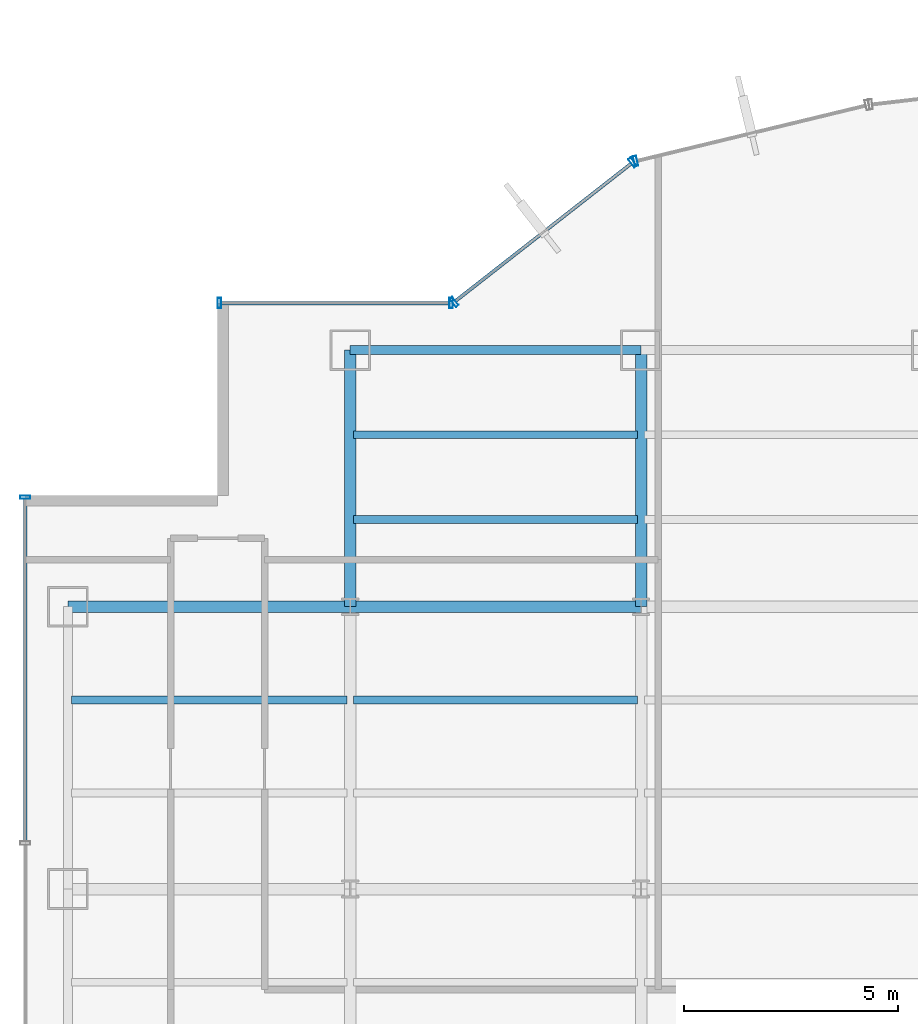
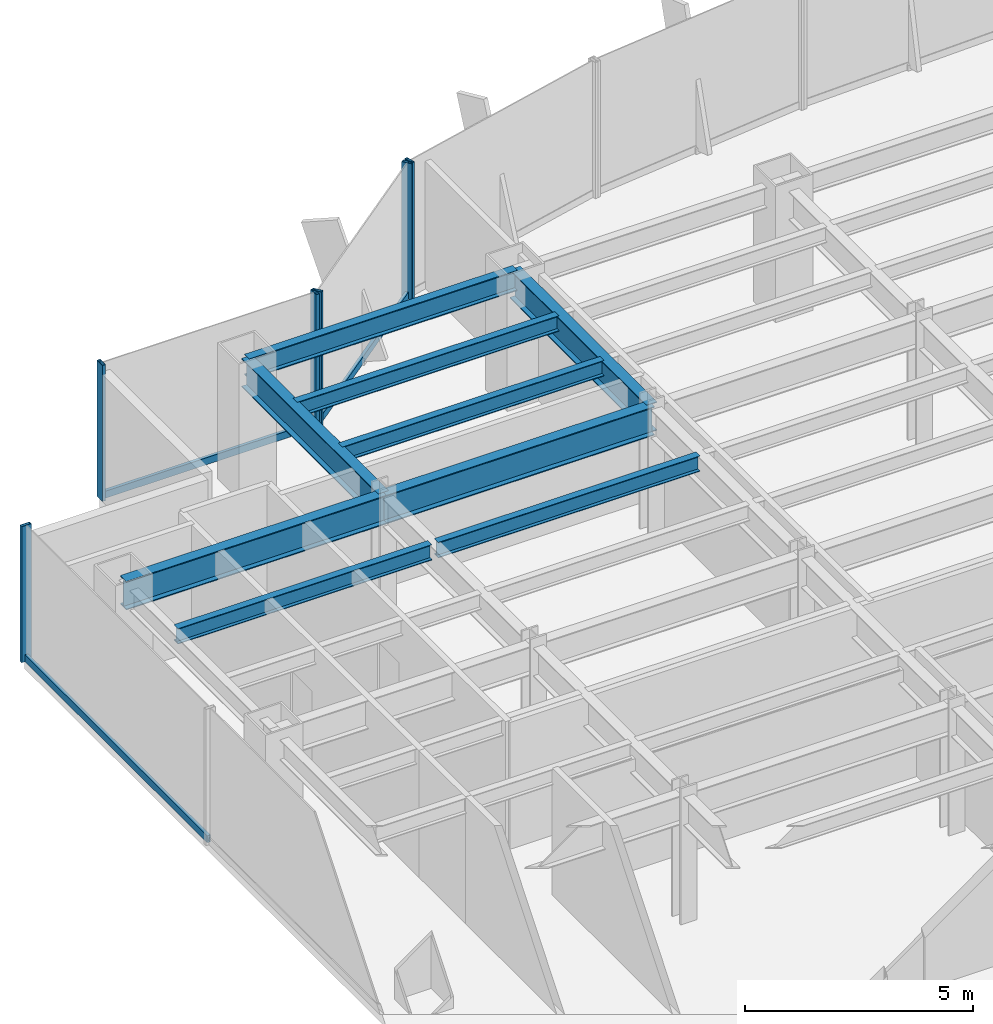
# One storey, part 10 of 22: 9 beams, 9 members, 4 elements without a shape of their own.
"""IFC4 building model written with IfcOpenShell, lengths in metres."""

from ifc_helpers import new_model, si_unit, derived_unit, direction, frame, origin, origin_2d, place, context, subcontext, project, spatial, hollow_rectangle, i_section, extrude, source, transform, mapped, material, material_profile, profile_set, type_object, element, aggregate, save


model = new_model("IFC4")

# Units and contexts
model_context = context("Model", 3, precision=1e-05, world=origin(), true_north=direction((0.0, 1.0)))
body_context = subcontext(model_context, "Body", "Model", "MODEL_VIEW")
ifc_project = project(units=[si_unit("LENGTHUNIT", "METRE"), si_unit("AREAUNIT", "SQUARE_METRE"), si_unit("VOLUMEUNIT", "CUBIC_METRE"), si_unit("PLANEANGLEUNIT", "RADIAN"), si_unit("MASSUNIT", "GRAM", prefix="KILO"), derived_unit("THERMALTRANSMITTANCEUNIT", [(si_unit("POWERUNIT", "WATT"), 1), (si_unit("LENGTHUNIT", "METRE"), -2), (si_unit("THERMODYNAMICTEMPERATUREUNIT", "KELVIN"), -1)])], contexts=[model_context])

# Site, building, storey
site_placement = place(None, origin())
site = spatial("IfcSite", under=ifc_project, at=site_placement, CompositionType="ELEMENT")
building_placement = place(site_placement, origin())
building = spatial("IfcBuilding", under=site, at=building_placement, Name="Skarnbrae Concourse Arena and Tower", CompositionType="ELEMENT")
storey_placement = place(building_placement, frame((0.0, 0.0, 32.5)))
storey = spatial("IfcBuildingStorey", under=building, at=storey_placement, Name="L06", CompositionType="ELEMENT", Elevation=32.5)

# Beams
ifc_material_1 = material(Name="Steel CSA G40.21 350W", Category="steel")
ifc_material_profile_1 = material_profile(ifc_material_1, i_section(OverallWidth=0.26806640625, OverallDepth=0.77001953125, WebThickness=0.015625, FlangeThickness=0.025390625, at=origin_2d()), Name="W760X196")
ifc_profile_set_1 = profile_set([ifc_material_profile_1], Name="Steel CSA G40.21 350W")
beam_type_1 = type_object("IfcBeamType", Name="BM-GIRD-W760X196", PredefinedType="BEAM", material=ifc_profile_set_1)
shared_shape_1 = source(origin(), body_context, "Body", "SweptSolid", [
    extrude(i_section(OverallWidth=0.26806640625, OverallDepth=0.77001953125, WebThickness=0.015625, FlangeThickness=0.025390625, at=origin_2d()), origin(), (0.0, 0.0, 1.0), 6.60009765625),
])
beam_1_placement = place(storey_placement, frame((1.0, 34.39990234375, 3.014892578125), z_axis=(1.0, 0.0, 0.0), x_axis=(0.0, 1.0, 0.0)))
element("IfcBeam", 1, at=beam_1_placement, inside=storey, type_object=beam_type_1, Name="L06 Primary E-W girder Y34.4-1", PredefinedType="BEAM", context=body_context, shape_type="MappedRepresentation", body=[
    mapped(shared_shape_1, transform((0.0, 0.0, 0.0))),
])
shared_shape_2 = source(origin(), body_context, "Body", "SweptSolid", [
    extrude(i_section(OverallWidth=0.26806640625, OverallDepth=0.77001953125, WebThickness=0.015625, FlangeThickness=0.025390625, at=origin_2d()), origin(), (0.0, 0.0, 1.0), 6.7998046875),
])
beam_2_placement = place(storey_placement, frame((7.60009765625, 34.39990234375, 3.014892578125), z_axis=(1.0, 0.0, 0.0), x_axis=(0.0, 1.0, 0.0)))
element("IfcBeam", 2, at=beam_2_placement, inside=storey, type_object=beam_type_1, Name="L06 Primary E-W girder Y34.4-2", PredefinedType="BEAM", context=body_context, shape_type="MappedRepresentation", body=[
    mapped(shared_shape_2, transform((0.0, 0.0, 0.0))),
])
shared_shape_3 = source(origin(), body_context, "Body", "SweptSolid", [
    extrude(i_section(OverallWidth=0.26806640625, OverallDepth=0.77001953125, WebThickness=0.015625, FlangeThickness=0.025390625, at=origin_2d()), origin(), (0.0, 0.0, 1.0), 6.0),
])
for number, where, z_axis, x_axis, name in (
    (3, (7.60009765625, 34.39990234375, 3.014892578125), (0.0, 1.0, 0.0), (-1.0, 0.0, 0.0), "L06 Primary N-S girder X7.6-4"),
    (4, (14.39990234375, 34.39990234375, 3.014892578125), (0.0, 1.0, 0.0), (-1.0, 0.0, 0.0), "L06 Primary N-S girder X14.4-4"),
):
    element("IfcBeam", number, at=place(storey_placement, frame(where, z_axis=z_axis, x_axis=x_axis)), inside=storey, type_object=beam_type_1, Name=name, PredefinedType="BEAM", context=body_context, shape_type="MappedRepresentation", body=[
        mapped(shared_shape_3, transform((0.0, 0.0, 0.0))),
    ])
ifc_material_profile_2 = material_profile(ifc_material_1, i_section(OverallWidth=0.214111328125, OverallDepth=0.549072265625, WebThickness=0.0146484375, FlangeThickness=0.023681640625, at=origin_2d()), Name="W530X138")
ifc_profile_set_2 = profile_set([ifc_material_profile_2], Name="Steel CSA G40.21 350W")
beam_type_2 = type_object("IfcBeamType", Name="BM-SPAN-W530X138", PredefinedType="SPANDREL", material=ifc_profile_set_2)
shared_shape_4 = source(origin(), body_context, "Body", "SweptSolid", [
    extrude(i_section(OverallWidth=0.214111328125, OverallDepth=0.549072265625, WebThickness=0.0146484375, FlangeThickness=0.023681640625, at=origin_2d()), origin(), (0.0, 0.0, 1.0), 6.7998046875),
])
beam_3_placement = place(storey_placement, frame((7.60009765625, 40.39990234375, 3.12548828125), z_axis=(1.0, 0.0, 0.0), x_axis=(0.0, 1.0, 0.0)))
element("IfcBeam", 5, at=beam_3_placement, inside=storey, type_object=beam_type_2, Name="L06 Perimeter spandrel Y40.4-1", PredefinedType="SPANDREL", context=body_context, shape_type="MappedRepresentation", body=[
    mapped(shared_shape_4, transform((0.0, 0.0, 0.0))),
])
ifc_material_profile_3 = material_profile(ifc_material_1, i_section(OverallWidth=0.180908203125, OverallDepth=0.4169921875, WebThickness=0.010986328125, FlangeThickness=0.018310546875, at=origin_2d()), Name="W410X85")
ifc_profile_set_3 = profile_set([ifc_material_profile_3], Name="Steel CSA G40.21 350W")
beam_type_3 = type_object("IfcBeamType", Name="BM-JOIST-W410X85", PredefinedType="JOIST", material=ifc_profile_set_3)
shared_shape_5 = source(origin(), body_context, "Body", "SweptSolid", [
    extrude(i_section(OverallWidth=0.180908203125, OverallDepth=0.4169921875, WebThickness=0.010986328125, FlangeThickness=0.018310546875, at=origin_2d()), origin(), (0.0, 0.0, 1.0), 6.43994140625),
])
beam_4_placement = place(storey_placement, frame((1.080078125, 32.221923828125, 3.19140625), z_axis=(1.0, 0.0, 0.0), x_axis=(0.0, 1.0, 0.0)))
element("IfcBeam", 6, at=beam_4_placement, inside=storey, type_object=beam_type_3, Name="L06 Secondary floor joist 3.2.1", PredefinedType="JOIST", context=body_context, shape_type="MappedRepresentation", body=[
    mapped(shared_shape_5, transform((0.0, 0.0, 0.0))),
])
shared_shape_6 = source(origin(), body_context, "Body", "SweptSolid", [
    extrude(i_section(OverallWidth=0.180908203125, OverallDepth=0.4169921875, WebThickness=0.010986328125, FlangeThickness=0.018310546875, at=origin_2d()), origin(), (0.0, 0.0, 1.0), 6.64013671875),
])
for number, where, z_axis, x_axis, name in (
    (7, (7.679931640625, 32.221923828125, 3.19140625), (1.0, 0.0, 0.0), (0.0, 1.0, 0.0), "L06 Secondary floor joist 3.2.2"),
    (8, (7.679931640625, 36.43994140625, 3.19140625), (1.0, 0.0, 0.0), (0.0, 1.0, 0.0), "L06 Secondary floor joist 4.1.1"),
    (9, (7.679931640625, 38.419921875, 3.19140625), (1.0, 0.0, 0.0), (0.0, 1.0, 0.0), "L06 Secondary floor joist 4.2.1"),
):
    element("IfcBeam", number, at=place(storey_placement, frame(where, z_axis=z_axis, x_axis=x_axis)), inside=storey, type_object=beam_type_3, Name=name, PredefinedType="JOIST", context=body_context, shape_type="MappedRepresentation", body=[
        mapped(shared_shape_6, transform((0.0, 0.0, 0.0))),
    ])

# Curtain wall, member
ifc_material_2 = material(Name="Bronze anodised aluminium 6063-T6", Category="aluminium")
curtain_wall_type = type_object("IfcCurtainWallType", Name="CW-SYS-02-LOWZONE", PredefinedType="USERDEFINED", material=ifc_material_2)
curtain_wall_1_placement = place(storey_placement, origin())
curtain_wall_1 = element("IfcCurtainWall", 10, at=curtain_wall_1_placement, inside=storey, type_object=curtain_wall_type, Name="L06 Unitised curtain wall CW-L06-E14", ObjectType="UNITISED CURTAIN WALL", PredefinedType="USERDEFINED")
ifc_material_profile_4 = material_profile(ifc_material_2, hollow_rectangle(XDim=0.080078125, YDim=0.239990234375, WallThickness=0.0048828125, at=origin_2d()), Name="ALU-MULL-80X240")
ifc_profile_set_4 = profile_set([ifc_material_profile_4], Name="Bronze anodised aluminium 6063-T6")
member_type_1 = type_object("IfcMemberType", Name="CWM-CW-02", PredefinedType="MULLION", material=ifc_profile_set_4)
shared_shape_7 = source(origin(), body_context, "Body", "SweptSolid", [
    extrude(hollow_rectangle(XDim=0.080078125, YDim=0.239990234375, WallThickness=0.0048828125, at=origin_2d()), origin(), (0.0, 0.0, 1.0), 3.64990234375),
])
member_1_placement = place(storey_placement, frame((14.272705078125, 44.821044921875, 0.0), z_axis=(0.0, 0.0, 1.0), x_axis=(-0.971973721569, -0.235089524607, 0.0)))
member_1 = element("IfcMember", 11, at=member_1_placement, type_object=member_type_1, Name="CW-L06-E14 Mullion 2", PredefinedType="MULLION", context=body_context, shape_type="MappedRepresentation", body=[
    mapped(shared_shape_7, transform((0.0, 0.0, 0.0))),
])
aggregate(curtain_wall_1, [member_1])

# Curtain wall, members
curtain_wall_2_placement = place(storey_placement, origin())
curtain_wall_2 = element("IfcCurtainWall", 12, at=curtain_wall_2_placement, inside=storey, type_object=curtain_wall_type, Name="L06 Unitised curtain wall CW-L06-E15", ObjectType="UNITISED CURTAIN WALL", PredefinedType="USERDEFINED")
member_2_placement = place(storey_placement, frame((14.2021484375, 44.787109375, 0.0), z_axis=(0.0, 0.0, 1.0), x_axis=(-0.787651726054, -0.616120733658, 0.0)))
member_2 = element("IfcMember", 13, at=member_2_placement, type_object=member_type_1, Name="CW-L06-E15 Mullion 1", PredefinedType="MULLION", context=body_context, shape_type="MappedRepresentation", body=[
    mapped(shared_shape_7, transform((0.0, 0.0, 0.0))),
])
member_3_placement = place(storey_placement, frame((10.031494140625, 41.524658203125, 0.0), z_axis=(0.0, 0.0, 1.0), x_axis=(-0.787651726054, -0.616120733658, 0.0)))
member_3 = element("IfcMember", 14, at=member_3_placement, type_object=member_type_1, Name="CW-L06-E15 Mullion 2", PredefinedType="MULLION", context=body_context, shape_type="MappedRepresentation", body=[
    mapped(shared_shape_7, transform((0.0, 0.0, 0.0))),
])

curtain_wall_3_placement = place(storey_placement, origin())
curtain_wall_3 = element("IfcCurtainWall", 15, at=curtain_wall_3_placement, inside=storey, type_object=curtain_wall_type, Name="L06 Unitised curtain wall CW-L06-E16", ObjectType="UNITISED CURTAIN WALL", PredefinedType="USERDEFINED")
member_4_placement = place(storey_placement, frame((9.9599609375, 41.5, 0.0), z_axis=(0.0, 0.0, 1.0), x_axis=(-1.0, 0.0, 0.0)))
member_4 = element("IfcMember", 16, at=member_4_placement, type_object=member_type_1, Name="CW-L06-E16 Mullion 1", PredefinedType="MULLION", context=body_context, shape_type="MappedRepresentation", body=[
    mapped(shared_shape_7, transform((0.0, 0.0, 0.0))),
])
member_5_placement = place(storey_placement, frame((4.5400390625, 41.5, 0.0), z_axis=(0.0, 0.0, 1.0), x_axis=(-1.0, 0.0, 0.0)))
member_5 = element("IfcMember", 17, at=member_5_placement, type_object=member_type_1, Name="CW-L06-E16 Mullion 2", PredefinedType="MULLION", context=body_context, shape_type="MappedRepresentation", body=[
    mapped(shared_shape_7, transform((0.0, 0.0, 0.0))),
])

# Curtain wall, member
curtain_wall_4_placement = place(storey_placement, origin())
curtain_wall_4 = element("IfcCurtainWall", 18, at=curtain_wall_4_placement, inside=storey, type_object=curtain_wall_type, Name="L06 Unitised curtain wall CW-L06-E19", ObjectType="UNITISED CURTAIN WALL", PredefinedType="USERDEFINED")
member_6_placement = place(storey_placement, frame((0.0, 36.9599609375, 0.0), z_axis=(0.0, 0.0, 1.0), x_axis=(0.0, -1.0, 0.0)))
member_6 = element("IfcMember", 19, at=member_6_placement, type_object=member_type_1, Name="CW-L06-E19 Mullion 1", PredefinedType="MULLION", context=body_context, shape_type="MappedRepresentation", body=[
    mapped(shared_shape_7, transform((0.0, 0.0, 0.0))),
])

# Member
ifc_material_profile_5 = material_profile(ifc_material_2, hollow_rectangle(XDim=0.080078125, YDim=0.18994140625, WallThickness=0.0048828125, at=origin_2d()), Name="ALU-TRAN-80X190")
ifc_profile_set_5 = profile_set([ifc_material_profile_5], Name="Bronze anodised aluminium 6063-T6")
member_type_2 = type_object("IfcMemberType", Name="CWT-CW-02", PredefinedType="USERDEFINED", material=ifc_profile_set_5)
shared_shape_8 = source(origin(), body_context, "Body", "SweptSolid", [
    extrude(hollow_rectangle(XDim=0.080078125, YDim=0.18994140625, WallThickness=0.0048828125, at=origin_2d()), origin(), (0.0, 0.0, 1.0), 5.33984375),
])
member_7_placement = place(storey_placement, frame((9.919921875, 41.5, 0.094970703125), z_axis=(-1.0, 0.0, 0.0), x_axis=(0.0, -1.0, 0.0)))
member_7 = element("IfcMember", 20, at=member_7_placement, type_object=member_type_2, Name="CW-L06-E16 Transom 1", ObjectType="TRANSOM", PredefinedType="USERDEFINED", context=body_context, shape_type="MappedRepresentation", body=[
    mapped(shared_shape_8, transform((0.0, 0.0, 0.0))),
])

aggregate(curtain_wall_3, [member_4, member_5, member_7])

shared_shape_9 = source(origin(), body_context, "Body", "SweptSolid", [
    extrude(hollow_rectangle(XDim=0.080078125, YDim=0.18994140625, WallThickness=0.0048828125, at=origin_2d()), origin(), (0.0, 0.0, 1.0), 5.215087890625),
])
member_8_placement = place(storey_placement, frame((14.170654296875, 44.762451171875, 0.094970703125), z_axis=(-0.787650196702, -0.616122688784, 0.0), x_axis=(0.616122688784, -0.787650196702, 0.0)))
member_8 = element("IfcMember", 21, at=member_8_placement, type_object=member_type_2, Name="CW-L06-E15 Transom 1", ObjectType="TRANSOM", PredefinedType="USERDEFINED", context=body_context, shape_type="MappedRepresentation", body=[
    mapped(shared_shape_9, transform((0.0, 0.0, 0.0))),
])

aggregate(curtain_wall_2, [member_2, member_3, member_8])

shared_shape_10 = source(origin(), body_context, "Body", "SweptSolid", [
    extrude(hollow_rectangle(XDim=0.080078125, YDim=0.18994140625, WallThickness=0.0048828125, at=origin_2d()), origin(), (0.0, 0.0, 1.0), 8.0048828125),
])
member_9_placement = place(storey_placement, frame((0.0, 36.919921875, 0.094970703125), z_axis=(0.0, -1.0, 0.0), x_axis=(1.0, 0.0, 0.0)))
member_9 = element("IfcMember", 22, at=member_9_placement, type_object=member_type_2, Name="CW-L06-E19 Transom 1", ObjectType="TRANSOM", PredefinedType="USERDEFINED", context=body_context, shape_type="MappedRepresentation", body=[
    mapped(shared_shape_10, transform((0.0, 0.0, 0.0))),
])

aggregate(curtain_wall_4, [member_6, member_9])

save(model, "model.ifc")
